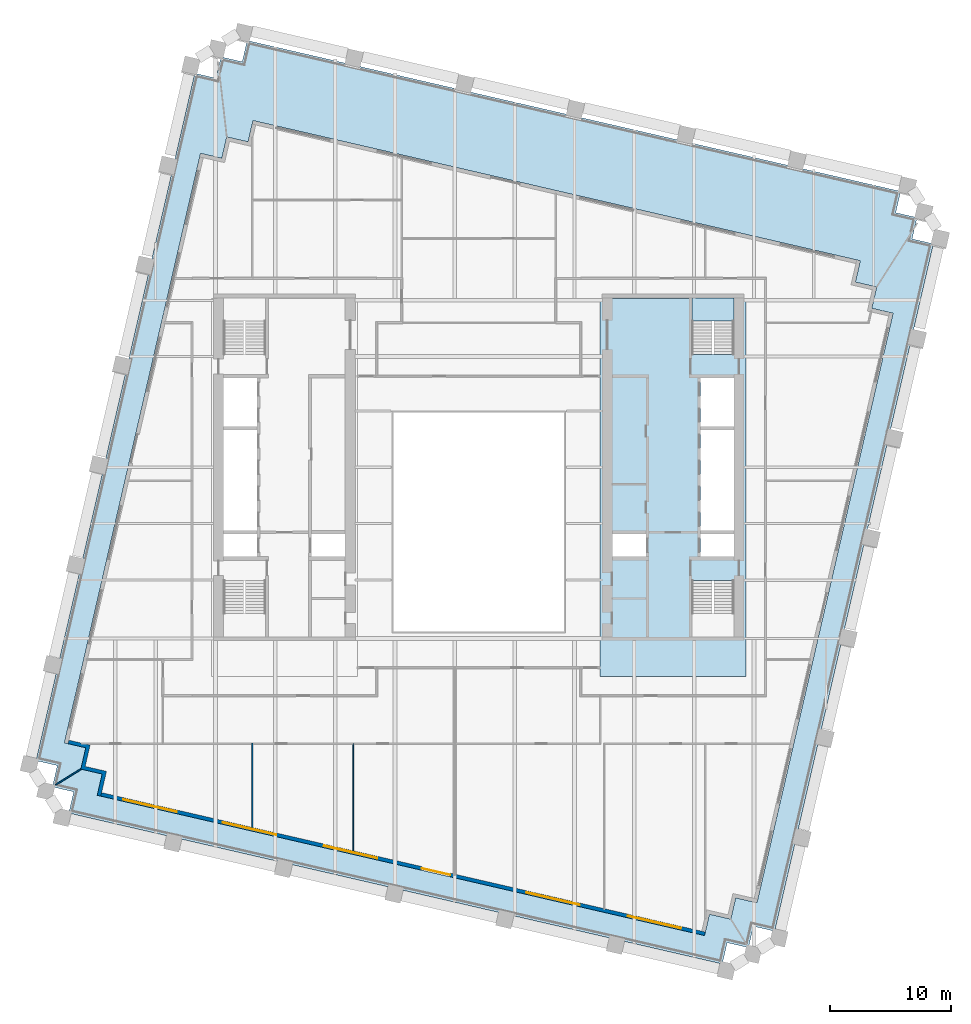
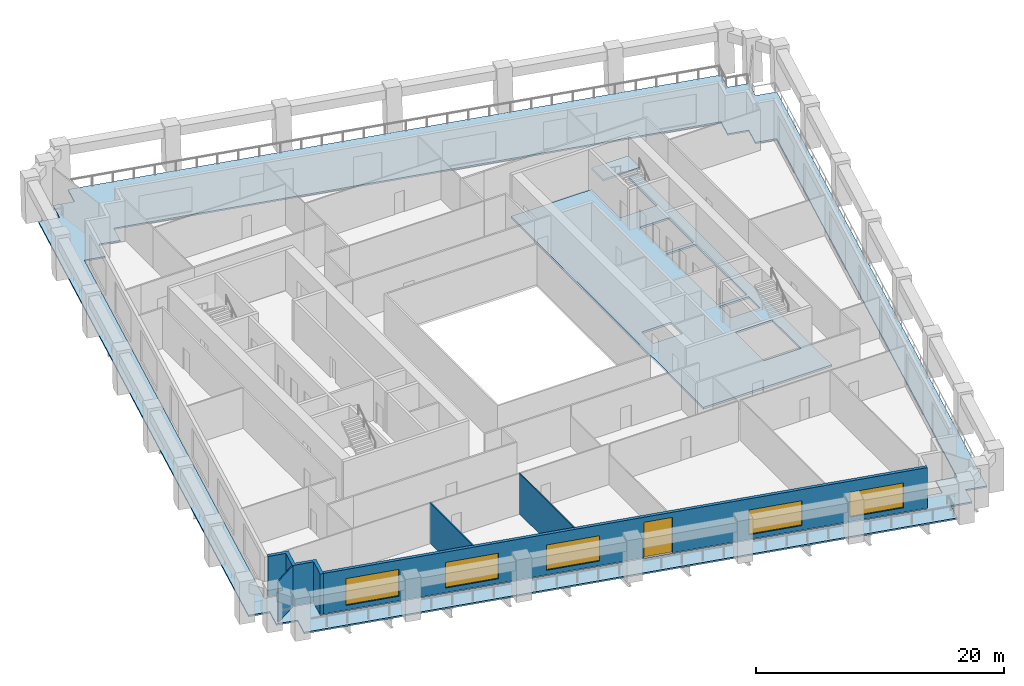
# One storey, part 3 of 10: 5 walls, 5 windows, 3 slabs, 1 door, 6 openings, 1 element without a shape of its own.
"""IFC4 building model written with IfcOpenShell, lengths in metres."""

from ifc_helpers import new_model, si_unit, direction, frame, frame_2d, origin, place, context, subcontext, project, spatial, polyline, rectangle, outline, extrude, material, layer, layer_set, type_object, element, fill, aggregate, save


model = new_model("IFC4")

# Units and contexts
model_context = context("Model", 3, precision=1e-05, world=origin(), true_north=direction((0.0, 1.0)))
body_context = subcontext(model_context, "Body", "Model", "MODEL_VIEW")
ifc_project = project(units=[si_unit("LENGTHUNIT", "METRE"), si_unit("AREAUNIT", "SQUARE_METRE"), si_unit("VOLUMEUNIT", "CUBIC_METRE"), si_unit("PLANEANGLEUNIT", "RADIAN"), si_unit("MASSUNIT", "GRAM", prefix="KILO")], contexts=[model_context])

# Site, building, storey
site_placement = place(None, origin())
site = spatial("IfcSite", under=ifc_project, at=site_placement, CompositionType="ELEMENT")
building_placement = place(site_placement, origin())
building = spatial("IfcBuilding", under=site, at=building_placement, Name="Ogive Exchange Tower", CompositionType="ELEMENT")
storey_placement = place(building_placement, frame((0.0, 0.0, 147.60009765625)))
storey = spatial("IfcBuildingStorey", under=building, at=storey_placement, Name="L32", CompositionType="ELEMENT", Elevation=147.60009765625)

# Slabs
ifc_material_1 = material(Name="Concrete C70/85", Category="concrete")
ifc_layer_1 = layer(ifc_material_1, 0.199951171875)
ifc_layer_set_1 = layer_set([ifc_layer_1], Name="Core floor slab 200")
slab_type_1 = type_object("IfcSlabType", Name="Core floor slab 200", PredefinedType="FLOOR", material=ifc_layer_set_1)
slab_1_placement = place(storey_placement, frame((0.0, 0.0, -0.2001953125)))
element("IfcSlab", 1, at=slab_1_placement, inside=storey, type_object=slab_type_1, Name="Core floor slab", PredefinedType="FLOOR", context=body_context, shape_type="SweptSolid", body=[
    extrude(outline(polyline([(22.0, 25.39990234375), (22.0, -5.699951171875), (10.0, -5.699951171875), (10.0, 25.39990234375), (17.550048828125, 25.39990234375), (17.550048828125, 20.803955078125), (21.0, 20.803955078125), (21.0, 25.39990234375), (22.0, 25.39990234375)]), holes=[polyline([(21.0, 2.196044921875), (17.550048828125, 2.196044921875), (17.550048828125, -2.449951171875), (21.0, -2.449951171875), (21.0, 2.196044921875)]), polyline([(13.75, 5.992919921875), (11.0, 5.992919921875), (11.0, 4.14990234375), (13.75, 4.14990234375), (13.75, 5.992919921875)]), polyline([(21.0, 5.992919921875), (18.25, 5.992919921875), (18.25, 4.14990234375), (21.0, 4.14990234375), (21.0, 5.992919921875)]), polyline([(18.25, 14.564208984375), (18.25, 6.29296875), (21.0, 6.29296875), (21.0, 14.564208984375), (18.25, 14.564208984375)]), polyline([(21.0, 18.85009765625), (18.25, 18.85009765625), (18.25, 14.8642578125), (21.0, 14.8642578125), (21.0, 18.85009765625)])]), origin(), (0.0, 0.0, 1.0), 0.2001953125),
])
ifc_material_2 = material(Name="Concrete C50/60", Category="concrete")
ifc_layer_2 = layer(ifc_material_2, 0.14990234375)
ifc_layer_set_2 = layer_set([ifc_layer_2], Name="Loggia deck 150")
slab_type_2 = type_object("IfcSlabType", Name="Loggia deck 150", PredefinedType="FLOOR", material=ifc_layer_set_2)
slab_2_placement = place(storey_placement, frame((0.0, 0.0, -0.2001953125)))
element("IfcSlab", 2, at=slab_2_placement, inside=storey, type_object=slab_type_2, Name="Loggia deck", PredefinedType="FLOOR", context=body_context, shape_type="SweptSolid", body=[
    extrude(outline(polyline([(-33.33740234375, -15.20703125), (-35.09130859375, -14.802001953125), (-34.686279296875, -13.04833984375), (-36.440185546875, -12.643310546875), (-23.37890625, 43.93212890625), (-21.625, 43.527099609375), (-21.219970703125, 45.281005859375), (-19.46630859375, 44.876220703125), (-19.061279296875, 46.6298828125), (34.72412109375, 34.212646484375), (34.319091796875, 32.458740234375), (36.072998046875, 32.053955078125), (35.66796875, 30.300048828125), (37.421875, 29.895263671875), (24.3603515625, -26.680419921875), (22.6064453125, -26.275390625), (22.20166015625, -28.029296875), (20.44775390625, -27.62451171875), (20.04296875, -29.378173828125), (-33.742431640625, -16.9609375), (-33.33740234375, -15.20703125)]), holes=[polyline([(18.986328125, -25.28564453125), (20.740234375, -25.690673828125), (21.145263671875, -23.936767578125), (22.89892578125, -24.341552734375), (34.1015625, 24.181884765625), (32.34765625, 24.5869140625), (32.752685546875, 26.3408203125), (30.998779296875, 26.74560546875), (31.40380859375, 28.49951171875), (-18.58154296875, 40.03955078125), (-18.986328125, 38.28564453125), (-20.740234375, 38.690673828125), (-21.145263671875, 36.936767578125), (-22.89892578125, 37.341552734375), (-34.1015625, -11.181884765625), (-32.34765625, -11.5869140625), (-32.752685546875, -13.3408203125), (-30.998779296875, -13.74560546875), (-31.40380859375, -15.49951171875), (18.58154296875, -27.03955078125), (18.986328125, -25.28564453125)])]), origin(), (0.0, 0.0, 1.0), 0.150146484375),
])

# Stair, slab
ifc_material_3 = material(Name="Concrete C40/50", Category="concrete")
stair_type = type_object("IfcStairType", Name="Exit stair 1650 wide", PredefinedType="HALF_TURN_STAIR", material=ifc_material_3)
stair_placement = place(storey_placement, origin())
stair = element("IfcStair", 3, at=stair_placement, inside=storey, type_object=stair_type, Name="L32 exit stair ST4", PredefinedType="HALF_TURN_STAIR")
ifc_layer_3 = layer(ifc_material_3, 0.199951171875)
ifc_layer_set_3 = layer_set([ifc_layer_3], Name="Stair landing 200 slab")
slab_type_3 = type_object("IfcSlabType", Name="Stair landing 200 slab", PredefinedType="LANDING", material=ifc_layer_set_3)
slab_3_placement = place(storey_placement, frame((0.0, 0.0, 1.89990234375)))
slab_3 = element("IfcSlab", 4, at=slab_3_placement, type_object=slab_type_3, Name="ST4 landing 1", PredefinedType="LANDING", context=body_context, shape_type="SweptSolid", body=[
    extrude(outline(polyline([(21.0, 23.550048828125), (21.0, 25.449951171875), (17.550048828125, 25.449951171875), (17.550048828125, 23.550048828125), (21.0, 23.550048828125)])), origin(), (0.0, 0.0, 1.0), 0.199951171875),
])
aggregate(stair, [slab_3])

# Wall, openings, door, windows
ifc_material_4 = material(Name="Precast concrete C40/50", Category="concrete")
ifc_layer_4 = layer(ifc_material_4, 0.300048828125)
ifc_layer_set_4 = layer_set([ifc_layer_4], Name="Limestone-faced wall 300")
wall_type_1 = type_object("IfcWallType", Name="Limestone-faced wall 300", PredefinedType="STANDARD", material=ifc_layer_set_4)
wall_1_placement = place(storey_placement, frame((-31.07763671875, -15.4208984375, 0.0), z_axis=(0.0, 0.0, 1.0), x_axis=(0.974370456532, -0.224949357493, 0.0)))
wall_1 = element("IfcWall", 5, at=wall_1_placement, inside=storey, type_object=wall_type_1, Name="External wall S1", PredefinedType="STANDARD", context=body_context, shape_type="SweptSolid", body=[
    extrude(rectangle(XDim=51.0, YDim=0.300048828125, at=frame_2d((25.5, 0.0))), origin(), (0.0, 0.0, 1.0), 4.0),
])
opening_1_placement = place(wall_1_placement, frame((1.875, 0.0, 0.449951171875)))
opening_1 = element("IfcOpeningElement", 6, at=opening_1_placement, cuts=wall_1, Name="Opening W1K", PredefinedType="OPENING", context=body_context, shape_type="SweptSolid", body=[
    extrude(rectangle(XDim=4.5, YDim=2.64990234375, at=frame_2d((2.25, 1.324951171875))), frame((0.0, 0.159912109375, 0.0), z_axis=(0.0, -1.0, 0.0), x_axis=(1.0, 0.0, 0.0)), (0.0, 0.0, 1.0), 0.320068359375),
])
opening_2_placement = place(wall_1_placement, frame((10.27490234375, 0.0, 0.449951171875)))
opening_2 = element("IfcOpeningElement", 7, at=opening_2_placement, cuts=wall_1, Name="Opening W1N", PredefinedType="OPENING", context=body_context, shape_type="SweptSolid", body=[
    extrude(rectangle(XDim=4.5, YDim=2.52490234375, at=frame_2d((2.25, 1.262451171875))), frame((0.0, 0.159912109375, 0.0), z_axis=(0.0, -1.0, 0.0), x_axis=(1.0, 0.0, 0.0)), (0.0, 0.0, 1.0), 0.320068359375),
])
opening_3_placement = place(wall_1_placement, frame((18.824951171875, 0.0, 0.449951171875)))
opening_3 = element("IfcOpeningElement", 8, at=opening_3_placement, cuts=wall_1, Name="Opening W1O", PredefinedType="OPENING", context=body_context, shape_type="SweptSolid", body=[
    extrude(rectangle(XDim=4.5, YDim=2.5, at=frame_2d((2.25, 1.25))), frame((0.0, 0.159912109375, 0.0), z_axis=(0.0, -1.0, 0.0), x_axis=(1.0, 0.0, 0.0)), (0.0, 0.0, 1.0), 0.320068359375),
])
opening_4_placement = place(wall_1_placement, frame((27.074951171875, 0.0, 0.0)))
opening_4 = element("IfcOpeningElement", 9, at=opening_4_placement, cuts=wall_1, Name="Opening D1", PredefinedType="OPENING", context=body_context, shape_type="SweptSolid", body=[
    extrude(rectangle(XDim=2.39990234375, YDim=3.5, at=frame_2d((1.199951171875, 1.75))), frame((0.0, 0.159912109375, 0.0), z_axis=(0.0, -1.0, 0.0), x_axis=(1.0, 0.0, 0.0)), (0.0, 0.0, 1.0), 0.320068359375),
])
opening_5_placement = place(wall_1_placement, frame((35.925048828125, 0.0, 0.449951171875)))
opening_5 = element("IfcOpeningElement", 10, at=opening_5_placement, cuts=wall_1, Name="Opening W1Q", PredefinedType="OPENING", context=body_context, shape_type="SweptSolid", body=[
    extrude(rectangle(XDim=4.5, YDim=2.449951171875, at=frame_2d((2.25, 1.22509765625))), frame((0.0, 0.159912109375, 0.0), z_axis=(0.0, -1.0, 0.0), x_axis=(1.0, 0.0, 0.0)), (0.0, 0.0, 1.0), 0.320068359375),
])
opening_6_placement = place(wall_1_placement, frame((44.47509765625, 0.0, 0.449951171875)))
opening_6 = element("IfcOpeningElement", 11, at=opening_6_placement, cuts=wall_1, Name="Opening W1Q", PredefinedType="OPENING", context=body_context, shape_type="SweptSolid", body=[
    extrude(rectangle(XDim=4.5, YDim=2.449951171875, at=frame_2d((2.25, 1.22509765625))), frame((0.0, 0.159912109375, 0.0), z_axis=(0.0, -1.0, 0.0), x_axis=(1.0, 0.0, 0.0)), (0.0, 0.0, 1.0), 0.320068359375),
])
ifc_material_5 = material(Name="Clear glass in bronze frame", Category="glass")
door_type = type_object("IfcDoorType", Name="Sliding loggia door 2400 x 3500", OperationType="DOUBLE_DOOR_SLIDING", PredefinedType="DOOR", material=ifc_material_5)
door_placement = place(opening_4_placement, origin())
door = element("IfcDoor", 12, at=door_placement, inside=storey, type_object=door_type, Name="Loggia door S03", OperationType="DOUBLE_DOOR_SLIDING", OverallHeight=3.5, OverallWidth=2.39990234375, PredefinedType="DOOR", context=body_context, shape_type="SweptSolid", body=[
    extrude(rectangle(XDim=2.39990234375, YDim=3.5, at=frame_2d((1.199951171875, 1.75))), frame((0.0, 0.02490234375, 0.0), z_axis=(0.0, -1.0, 0.0), x_axis=(1.0, 0.0, 0.0)), (0.0, 0.0, 1.0), 0.050048828125),
])
fill(opening_4, door)
window_type_1 = type_object("IfcWindowType", Name="Twin lancet window 4500 x 2450", PartitioningType="DOUBLE_PANEL_VERTICAL", PredefinedType="WINDOW", material=ifc_material_5)
window_1_placement = place(opening_5_placement, origin())
window_1 = element("IfcWindow", 13, at=window_1_placement, inside=storey, type_object=window_type_1, Name="Window S04", OverallHeight=2.449951171875, OverallWidth=4.5, PartitioningType="DOUBLE_PANEL_VERTICAL", PredefinedType="WINDOW", context=body_context, shape_type="SweptSolid", body=[
    extrude(rectangle(XDim=4.5, YDim=2.449951171875, at=frame_2d((2.25, 1.22509765625))), frame((0.0, 0.030029296875, 0.0), z_axis=(0.0, -1.0, 0.0), x_axis=(1.0, 0.0, 0.0)), (0.0, 0.0, 1.0), 0.06005859375),
])
fill(opening_5, window_1)
window_2_placement = place(opening_6_placement, origin())
window_2 = element("IfcWindow", 14, at=window_2_placement, inside=storey, type_object=window_type_1, Name="Window S05", OverallHeight=2.449951171875, OverallWidth=4.5, PartitioningType="DOUBLE_PANEL_VERTICAL", PredefinedType="WINDOW", context=body_context, shape_type="SweptSolid", body=[
    extrude(rectangle(XDim=4.5, YDim=2.449951171875, at=frame_2d((2.25, 1.22509765625))), frame((0.0, 0.030029296875, 0.0), z_axis=(0.0, -1.0, 0.0), x_axis=(1.0, 0.0, 0.0)), (0.0, 0.0, 1.0), 0.06005859375),
])
fill(opening_6, window_2)
window_type_2 = type_object("IfcWindowType", Name="Twin lancet window 4500 x 2500", PartitioningType="DOUBLE_PANEL_VERTICAL", PredefinedType="WINDOW", material=ifc_material_5)
window_3_placement = place(opening_3_placement, origin())
window_3 = element("IfcWindow", 15, at=window_3_placement, inside=storey, type_object=window_type_2, Name="Window S02", OverallHeight=2.5, OverallWidth=4.5, PartitioningType="DOUBLE_PANEL_VERTICAL", PredefinedType="WINDOW", context=body_context, shape_type="SweptSolid", body=[
    extrude(rectangle(XDim=4.5, YDim=2.5, at=frame_2d((2.25, 1.25))), frame((0.0, 0.030029296875, 0.0), z_axis=(0.0, -1.0, 0.0), x_axis=(1.0, 0.0, 0.0)), (0.0, 0.0, 1.0), 0.06005859375),
])
fill(opening_3, window_3)
window_type_3 = type_object("IfcWindowType", Name="Twin lancet window 4500 x 2525", PartitioningType="DOUBLE_PANEL_VERTICAL", PredefinedType="WINDOW", material=ifc_material_5)
window_4_placement = place(opening_2_placement, origin())
window_4 = element("IfcWindow", 16, at=window_4_placement, inside=storey, type_object=window_type_3, Name="Window S01", OverallHeight=2.52490234375, OverallWidth=4.5, PartitioningType="DOUBLE_PANEL_VERTICAL", PredefinedType="WINDOW", context=body_context, shape_type="SweptSolid", body=[
    extrude(rectangle(XDim=4.5, YDim=2.52490234375, at=frame_2d((2.25, 1.262451171875))), frame((0.0, 0.030029296875, 0.0), z_axis=(0.0, -1.0, 0.0), x_axis=(1.0, 0.0, 0.0)), (0.0, 0.0, 1.0), 0.06005859375),
])
fill(opening_2, window_4)
window_type_4 = type_object("IfcWindowType", Name="Twin lancet window 4500 x 2650", PartitioningType="DOUBLE_PANEL_VERTICAL", PredefinedType="WINDOW", material=ifc_material_5)
window_5_placement = place(opening_1_placement, origin())
window_5 = element("IfcWindow", 17, at=window_5_placement, inside=storey, type_object=window_type_4, Name="Window S00", OverallHeight=2.64990234375, OverallWidth=4.5, PartitioningType="DOUBLE_PANEL_VERTICAL", PredefinedType="WINDOW", context=body_context, shape_type="SweptSolid", body=[
    extrude(rectangle(XDim=4.5, YDim=2.64990234375, at=frame_2d((2.25, 1.324951171875))), frame((0.0, 0.030029296875, 0.0), z_axis=(0.0, -1.0, 0.0), x_axis=(1.0, 0.0, 0.0)), (0.0, 0.0, 1.0), 0.06005859375),
])
fill(opening_1, window_5)

# Walls
wall_2_placement = place(storey_placement, origin())
element("IfcWall", 18, at=wall_2_placement, inside=storey, type_object=wall_type_1, Name="External corner wall C4", PredefinedType="STANDARD", context=body_context, shape_type="SweptSolid", body=[
    extrude(outline(polyline([(-32.392822265625, -13.115966796875), (-30.638916015625, -13.52099609375), (-31.111328125, -15.56689453125), (-31.40380859375, -15.49951171875), (-30.998779296875, -13.74560546875), (-32.752685546875, -13.3408203125), (-32.34765625, -11.5869140625), (-33.809326171875, -11.24951171875), (-33.74169921875, -10.957275390625), (-31.98779296875, -11.362060546875), (-32.392822265625, -13.115966796875)])), origin(), (0.0, 0.0, 1.0), 4.0),
])
ifc_material_6 = material(Name="Laminated safety glass in steel frame", Category="steel")
ifc_layer_5 = layer(ifc_material_6, 0.10009765625)
ifc_layer_set_5 = layer_set([ifc_layer_5], Name="Loggia end screen 100")
wall_type_2 = type_object("IfcWallType", Name="Loggia end screen 100", PredefinedType="STANDARD", material=ifc_layer_set_5)
wall_3_placement = place(storey_placement, frame((-32.752685546875, -13.3408203125, -0.050048828125), z_axis=(0.0, 0.0, 1.0), x_axis=(-0.848059759764, -0.529900598103, 0.0)))
element("IfcWall", 19, at=wall_3_placement, inside=storey, type_object=wall_type_2, Name="Loggia end screen C4", PredefinedType="STANDARD", context=body_context, shape_type="SweptSolid", body=[
    extrude(rectangle(XDim=2.454833984375, YDim=0.10009765625, at=frame_2d((1.2275390625, 0.0))), origin(), (0.0, 0.0, 1.0), 4.050048828125),
])
ifc_material_7 = material(Name="Partition 100 gypsum")
ifc_layer_6 = layer(ifc_material_7, 0.10009765625)
ifc_layer_set_6 = layer_set([ifc_layer_6], Name="Partition 100 gypsum")
wall_type_3 = type_object("IfcWallType", Name="Partition 100 gypsum", PredefinedType="PARTITIONING", material=ifc_layer_set_6)
wall_4_placement = place(storey_placement, frame((-18.64990234375, -18.218994140625, 0.0), z_axis=(0.0, 0.0, 1.0), x_axis=(0.0, 1.0, 0.0)))
element("IfcWall", 20, at=wall_4_placement, inside=storey, type_object=wall_type_3, Name="L32-PWL-013", PredefinedType="PARTITIONING", context=body_context, shape_type="SweptSolid", body=[
    extrude(rectangle(XDim=7.01904296875, YDim=0.10009765625, at=frame_2d((3.509521484375, 0.0))), origin(), (0.0, 0.0, 1.0), 4.0),
])
wall_5_placement = place(storey_placement, frame((-10.320068359375, -20.14208984375, 0.0), z_axis=(0.0, 0.0, 1.0), x_axis=(0.0, 1.0, 0.0)))
element("IfcWall", 21, at=wall_5_placement, inside=storey, type_object=wall_type_3, Name="L32-PWL-019", PredefinedType="PARTITIONING", context=body_context, shape_type="SweptSolid", body=[
    extrude(rectangle(XDim=8.942138671875, YDim=0.10009765625, at=frame_2d((4.47119140625, 0.0))), origin(), (0.0, 0.0, 1.0), 4.0),
])

save(model, "model.ifc")
